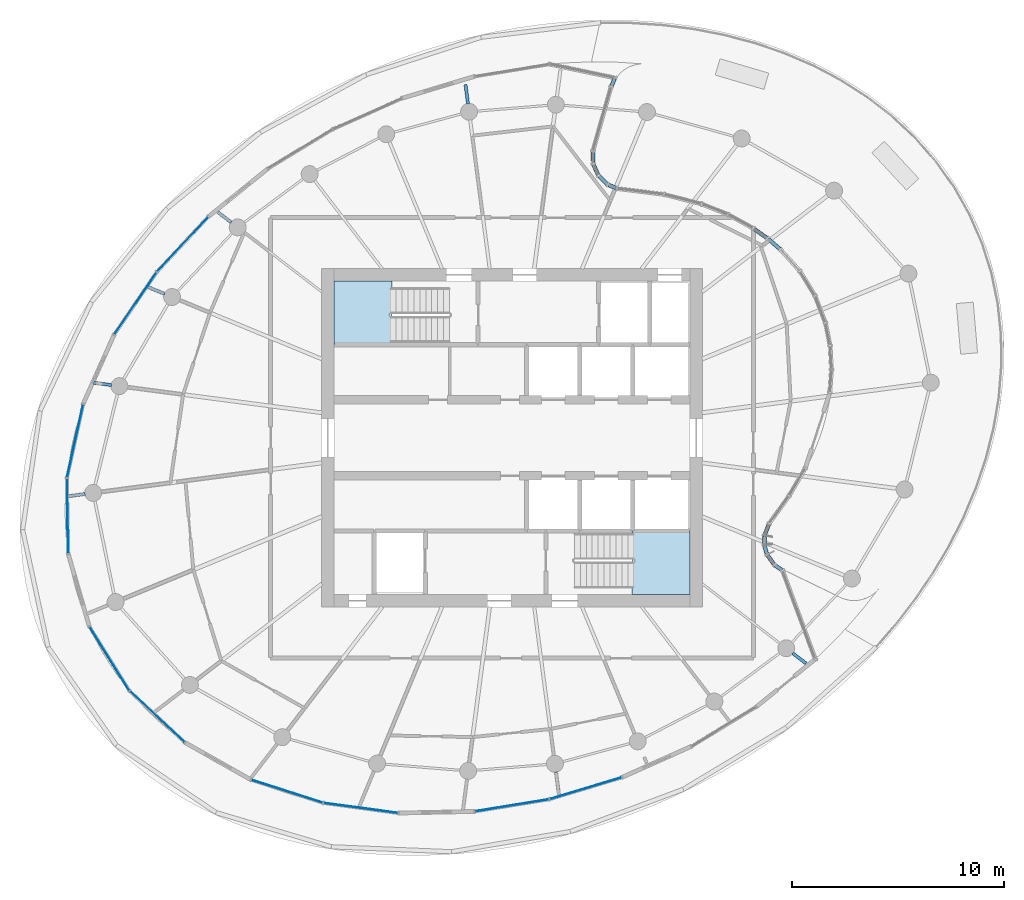
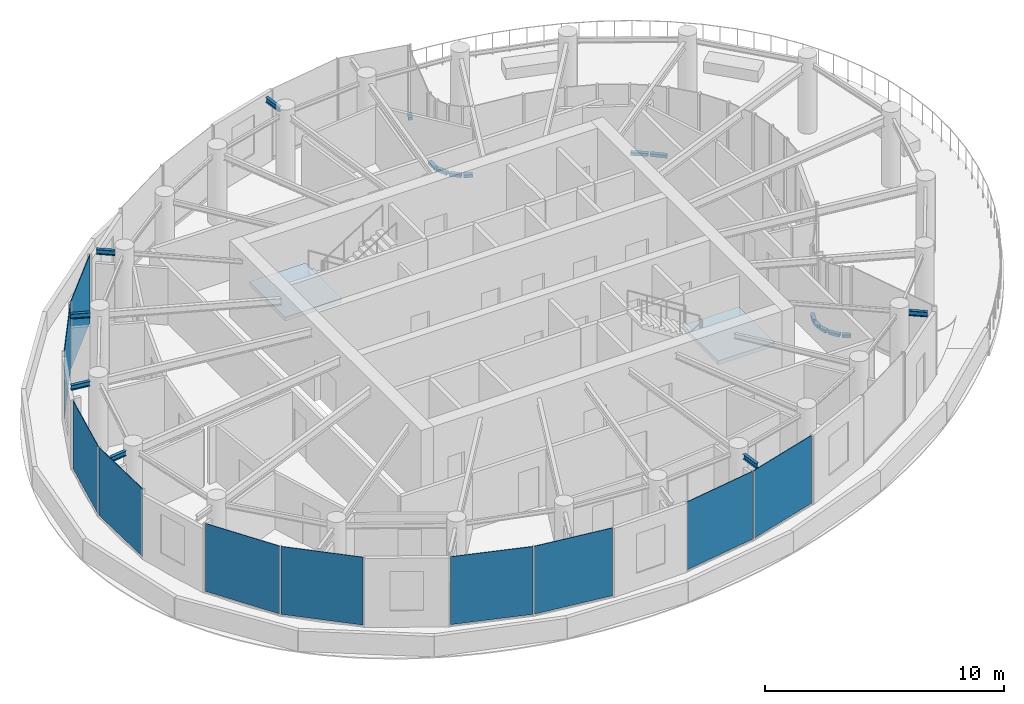
# One storey, part 7 of 19: 12 members, 10 plates, 7 beams, 2 slabs, 10 elements without a shape of their own.
"""IFC4 building model written with IfcOpenShell, lengths in metres."""

from ifc_helpers import new_model, si_unit, direction, frame, origin, origin_2d, place, context, subcontext, project, spatial, line, indexed_curve, rectangle, i_section, outline, extrude, source, transform, mapped, material, layer, layer_set, material_profile, profile_set, type_object, element, aggregate, save


model = new_model("IFC4")

# Units and contexts
model_context = context("Model", 3, precision=1e-05, world=origin(), true_north=direction((0.0, 1.0)))
body_context = subcontext(model_context, "Body", "Model", "MODEL_VIEW")
ifc_project = project(units=[si_unit("LENGTHUNIT", "METRE"), si_unit("AREAUNIT", "SQUARE_METRE"), si_unit("VOLUMEUNIT", "CUBIC_METRE"), si_unit("PLANEANGLEUNIT", "RADIAN"), si_unit("MASSUNIT", "GRAM", prefix="KILO")], contexts=[model_context])

# Site, building, storey
site_placement = place(None, origin())
site = spatial("IfcSite", under=ifc_project, at=site_placement, CompositionType="ELEMENT")
building_placement = place(site_placement, origin())
building = spatial("IfcBuilding", under=site, at=building_placement, Name="Spindrift Exchange Tower", CompositionType="ELEMENT")
storey_placement = place(building_placement, frame((0.0, 0.0, 234.5)))
storey = spatial("IfcBuildingStorey", under=building, at=storey_placement, Name="L57", CompositionType="ELEMENT", Elevation=234.5)

# Beams
ifc_material_1 = material(Name="Steel Grade 300", Category="steel")
ifc_material_profile_1 = material_profile(ifc_material_1, i_section(OverallWidth=0.14599609375, OverallDepth=0.251953125, WebThickness=0.006103515625, FlangeThickness=0.008544921875, FilletRadius=0.011962890625, at=origin_2d()), Name="250UB31.4")
ifc_profile_set_1 = profile_set([ifc_material_profile_1], Name="Steel Grade 300")
beam_type = type_object("IfcBeamType", Name="Cantilever Beam 250UB31.4 Steel Grade 300", PredefinedType="BEAM", material=ifc_profile_set_1)
shared_shape_1 = source(origin(), body_context, "Body", "SweptSolid", [
    extrude(i_section(OverallWidth=0.14599609375, OverallDepth=0.251953125, WebThickness=0.006103515625, FlangeThickness=0.008544921875, FilletRadius=0.011962890625, at=origin_2d()), origin(), (0.0, 0.0, 1.0), 0.91552734375),
])
for number, where, z_axis, x_axis, name in (
    (1, (49.923583984375, 63.772705078125, 3.4541015625), (-0.130661444959, 0.991427045627, 0.0), (-0.991427045627, -0.130661444959, 0.0), "L57 cantilever beam R07T"),
    (2, (54.076416015625, 32.227294921875, 3.4541015625), (0.130661444959, -0.991427045627, 0.0), (0.991427045627, 0.130661444959, 0.0), "L57 cantilever beam R19T"),
):
    element("IfcBeam", number, at=place(storey_placement, frame(where, z_axis=z_axis, x_axis=x_axis)), inside=storey, type_object=beam_type, Name=name, PredefinedType="BEAM", context=body_context, shape_type="MappedRepresentation", body=[
        mapped(shared_shape_1, transform((0.0, 0.0, 0.0), scale=1.0)),
    ])
shared_shape_2 = source(origin(), body_context, "Body", "SweptSolid", [
    extrude(i_section(OverallWidth=0.14599609375, OverallDepth=0.251953125, WebThickness=0.006103515625, FlangeThickness=0.008544921875, FilletRadius=0.011962890625, at=origin_2d()), origin(), (0.0, 0.0, 1.0), 0.798095703125),
])
for number, where, z_axis, x_axis, name in (
    (3, (38.74560546875, 58.170654296875, 3.4541015625), (-0.793419250411, 0.608675523639, 0.0), (-0.608675523639, -0.793419250411, 0.0), "L57 cantilever beam R10T"),
    (4, (65.25439453125, 37.829345703125, 3.4541015625), (0.793419250411, -0.608675523639, 0.0), (0.608675523639, 0.793419250411, 0.0), "L57 cantilever beam R22T"),
):
    element("IfcBeam", number, at=place(storey_placement, frame(where, z_axis=z_axis, x_axis=x_axis)), inside=storey, type_object=beam_type, Name=name, PredefinedType="BEAM", context=body_context, shape_type="MappedRepresentation", body=[
        mapped(shared_shape_2, transform((0.0, 0.0, 0.0), scale=1.0)),
    ])
shared_shape_3 = source(origin(), body_context, "Body", "SweptSolid", [
    extrude(i_section(OverallWidth=0.14599609375, OverallDepth=0.251953125, WebThickness=0.006103515625, FlangeThickness=0.008544921875, FilletRadius=0.011962890625, at=origin_2d()), origin(), (0.0, 0.0, 1.0), 0.851806640625),
])
beam_1_placement = place(storey_placement, frame((35.597412109375, 54.794189453125, 3.4541015625), z_axis=(-0.923880577549, 0.38268090941, 0.0), x_axis=(-0.38268090941, -0.923880577549, 0.0)))
element("IfcBeam", 5, at=beam_1_placement, inside=storey, type_object=beam_type, Name="L57 cantilever beam R11T", PredefinedType="BEAM", context=body_context, shape_type="MappedRepresentation", body=[
    mapped(shared_shape_3, transform((0.0, 0.0, 0.0), scale=1.0)),
])
shared_shape_4 = source(origin(), body_context, "Body", "SweptSolid", [
    extrude(i_section(OverallWidth=0.14599609375, OverallDepth=0.251953125, WebThickness=0.006103515625, FlangeThickness=0.008544921875, FilletRadius=0.011962890625, at=origin_2d()), origin(), (0.0, 0.0, 1.0), 0.863037109375),
])
beam_2_placement = place(storey_placement, frame((33.083251953125, 50.490478515625, 3.4541015625), z_axis=(-0.991461033816, 0.130403291466, 0.0), x_axis=(-0.130403291466, -0.991461033816, 0.0)))
element("IfcBeam", 6, at=beam_2_placement, inside=storey, type_object=beam_type, Name="L57 cantilever beam R12T", PredefinedType="BEAM", context=body_context, shape_type="MappedRepresentation", body=[
    mapped(shared_shape_4, transform((0.0, 0.0, 0.0), scale=1.0)),
])
shared_shape_5 = source(origin(), body_context, "Body", "SweptSolid", [
    extrude(i_section(OverallWidth=0.14599609375, OverallDepth=0.251953125, WebThickness=0.006103515625, FlangeThickness=0.008544921875, FilletRadius=0.011962890625, at=origin_2d()), origin(), (0.0, 0.0, 1.0), 0.8037109375),
])
beam_3_placement = place(storey_placement, frame((31.845947265625, 45.3466796875, 3.4541015625), z_axis=(-0.99143360589, -0.130611657639, 0.0), x_axis=(0.130611657639, -0.99143360589, 0.0)))
element("IfcBeam", 7, at=beam_3_placement, inside=storey, type_object=beam_type, Name="L57 cantilever beam R13T", PredefinedType="BEAM", context=body_context, shape_type="MappedRepresentation", body=[
    mapped(shared_shape_5, transform((0.0, 0.0, 0.0), scale=1.0)),
])

# Curtain wall, member
ifc_material_2 = material(Name="Fritted laminated glass with bronze frame", Category="glass")
ifc_layer_1 = layer(ifc_material_2, 0.199951171875)
ifc_layer_set_1 = layer_set([ifc_layer_1], Name="SKY GARDEN BRONZE GLAZED WALL")
curtain_wall_type_1 = type_object("IfcCurtainWallType", Name="SKY GARDEN BRONZE GLAZED WALL", PredefinedType="NOTDEFINED", material=ifc_layer_set_1)
curtain_wall_1_placement = place(storey_placement, origin())
curtain_wall_1 = element("IfcCurtainWall", 8, at=curtain_wall_1_placement, inside=storey, type_object=curtain_wall_type_1, Name="L57 Sky Garden Bronze Glazed Wall run 8", PredefinedType="NOTDEFINED")
ifc_material_3 = material(Name="Bronze anodised aluminium", Category="aluminium")
ifc_material_profile_2 = material_profile(ifc_material_3, rectangle(XDim=0.179931640625, YDim=0.14990234375, at=origin_2d()), Name="SKY GARDEN BRONZE GLAZED WALL TRANSOM 180X150")
ifc_profile_set_2 = profile_set([ifc_material_profile_2], Name="Bronze anodised aluminium")
member_type = type_object("IfcMemberType", Name="SKY GARDEN BRONZE GLAZED WALL TRANSOM 180X150", PredefinedType="USERDEFINED", material=ifc_profile_set_2)
shared_shape_6 = source(origin(), body_context, "Body", "SweptSolid", [
    extrude(rectangle(XDim=0.179931640625, YDim=0.14990234375, at=origin_2d()), origin(), (0.0, 0.0, 1.0), 0.37451171875),
])
member_1_placement = place(storey_placement, frame((56.9052734375, 59.79296875, 0.074951171875), z_axis=(-0.91608249743, 0.40098984763, 0.0), x_axis=(-0.40098984763, -0.91608249743, 0.0)))
member_1 = element("IfcMember", 9, at=member_1_placement, type_object=member_type, Name="L57 transom CW-G.46", ObjectType="TRANSOM", PredefinedType="USERDEFINED", context=body_context, shape_type="MappedRepresentation", body=[
    mapped(shared_shape_6, transform((0.0, 0.0, 0.0), scale=1.0)),
])

# Curtain wall, members
curtain_wall_2_placement = place(storey_placement, origin())
curtain_wall_2 = element("IfcCurtainWall", 10, at=curtain_wall_2_placement, inside=storey, type_object=curtain_wall_type_1, Name="L57 Sky Garden Bronze Glazed Wall run 5", PredefinedType="NOTDEFINED")
shared_shape_7 = source(origin(), body_context, "Body", "SweptSolid", [
    extrude(rectangle(XDim=0.179931640625, YDim=0.14990234375, at=origin_2d()), origin(), (0.0, 0.0, 1.0), 0.376953125),
])
member_2_placement = place(storey_placement, frame((64.740966796875, 41.75634765625, 0.074951171875), z_axis=(-0.823890704595, 0.566748715818, 0.0), x_axis=(-0.566748715818, -0.823890704595, 0.0)))
member_2 = element("IfcMember", 11, at=member_2_placement, type_object=member_type, Name="L57 transom CW-G.24", ObjectType="TRANSOM", PredefinedType="USERDEFINED", context=body_context, shape_type="MappedRepresentation", body=[
    mapped(shared_shape_7, transform((0.0, 0.0, 0.0), scale=1.0)),
])
shared_shape_8 = source(origin(), body_context, "Body", "SweptSolid", [
    extrude(rectangle(XDim=0.179931640625, YDim=0.14990234375, at=origin_2d()), origin(), (0.0, 0.0, 1.0), 0.520751953125),
])
member_3_placement = place(storey_placement, frame((64.37060546875, 42.028564453125, 0.074951171875), z_axis=(-0.583143330294, 0.812369285691, 0.0), x_axis=(-0.812369285691, -0.583143330294, 0.0)))
member_3 = element("IfcMember", 12, at=member_3_placement, type_object=member_type, Name="L57 transom CW-G.25", ObjectType="TRANSOM", PredefinedType="USERDEFINED", context=body_context, shape_type="MappedRepresentation", body=[
    mapped(shared_shape_8, transform((0.0, 0.0, 0.0), scale=1.0)),
])
shared_shape_9 = source(origin(), body_context, "Body", "SweptSolid", [
    extrude(rectangle(XDim=0.179931640625, YDim=0.14990234375, at=origin_2d()), origin(), (0.0, 0.0, 1.0), 0.379150390625),
])
member_4_placement = place(storey_placement, frame((64.030517578125, 42.527099609375, 0.074951171875), z_axis=(-0.271658927173, 0.962393592709, 0.0), x_axis=(-0.962393592709, -0.271658927173, 0.0)))
member_4 = element("IfcMember", 13, at=member_4_placement, type_object=member_type, Name="L57 transom CW-G.26", ObjectType="TRANSOM", PredefinedType="USERDEFINED", context=body_context, shape_type="MappedRepresentation", body=[
    mapped(shared_shape_9, transform((0.0, 0.0, 0.0), scale=1.0)),
])
shared_shape_10 = source(origin(), body_context, "Body", "SweptSolid", [
    extrude(rectangle(XDim=0.179931640625, YDim=0.14990234375, at=origin_2d()), origin(), (0.0, 0.0, 1.0), 0.374267578125),
])
member_5_placement = place(storey_placement, frame((63.9169921875, 42.9755859375, 0.074951171875), z_axis=(0.023476893458, 0.999724379754, 0.0), x_axis=(-0.999724379754, 0.023476893458, 0.0)))
member_5 = element("IfcMember", 14, at=member_5_placement, type_object=member_type, Name="L57 transom CW-G.27", ObjectType="TRANSOM", PredefinedType="USERDEFINED", context=body_context, shape_type="MappedRepresentation", body=[
    mapped(shared_shape_10, transform((0.0, 0.0, 0.0), scale=1.0)),
])
shared_shape_11 = source(origin(), body_context, "Body", "SweptSolid", [
    extrude(rectangle(XDim=0.179931640625, YDim=0.14990234375, at=origin_2d()), origin(), (0.0, 0.0, 1.0), 0.52099609375),
])
member_6_placement = place(storey_placement, frame((63.942138671875, 43.431884765625, 0.074951171875), z_axis=(0.360862621726, 0.932618983423, 0.0), x_axis=(-0.932618983423, 0.360862621726, 0.0)))
member_6 = element("IfcMember", 15, at=member_6_placement, type_object=member_type, Name="L57 transom CW-G.28", ObjectType="TRANSOM", PredefinedType="USERDEFINED", context=body_context, shape_type="MappedRepresentation", body=[
    mapped(shared_shape_11, transform((0.0, 0.0, 0.0), scale=1.0)),
])
aggregate(curtain_wall_2, [member_2, member_3, member_4, member_5, member_6])

# Curtain wall, member
curtain_wall_3_placement = place(storey_placement, origin())
curtain_wall_3 = element("IfcCurtainWall", 16, at=curtain_wall_3_placement, inside=storey, type_object=curtain_wall_type_1, Name="L57 Sky Garden Bronze Glazed Wall run 9", PredefinedType="NOTDEFINED")
member_7_placement = place(storey_placement, frame((56.492431640625, 59.9892578125, 0.074951171875), z_axis=(-0.726285045084, 0.687393652347, 0.0), x_axis=(-0.687393652347, -0.726285045084, 0.0)))
member_7 = element("IfcMember", 17, at=member_7_placement, type_object=member_type, Name="L57 transom CW-G.47", ObjectType="TRANSOM", PredefinedType="USERDEFINED", context=body_context, shape_type="MappedRepresentation", body=[
    mapped(shared_shape_11, transform((0.0, 0.0, 0.0), scale=1.0)),
])

curtain_wall_4_placement = place(storey_placement, origin())
curtain_wall_4 = element("IfcCurtainWall", 18, at=curtain_wall_4_placement, inside=storey, type_object=curtain_wall_type_1, Name="L57 Sky Garden Bronze Glazed Wall run 7", PredefinedType="NOTDEFINED")
shared_shape_12 = source(origin(), body_context, "Body", "SweptSolid", [
    extrude(rectangle(XDim=0.179931640625, YDim=0.14990234375, at=origin_2d()), origin(), (0.0, 0.0, 1.0), 0.716796875),
])
member_8_placement = place(storey_placement, frame((64.641357421875, 56.926513671875, 0.074951171875), z_axis=(-0.760913085528, 0.648853817337, 0.0), x_axis=(-0.648853817337, -0.760913085528, 0.0)))
member_8 = element("IfcMember", 19, at=member_8_placement, type_object=member_type, Name="L57 transom CW-G.40", ObjectType="TRANSOM", PredefinedType="USERDEFINED", context=body_context, shape_type="MappedRepresentation", body=[
    mapped(shared_shape_12, transform((0.0, 0.0, 0.0), scale=1.0)),
])
aggregate(curtain_wall_4, [member_8])

# Member
shared_shape_13 = source(origin(), body_context, "Body", "SweptSolid", [
    extrude(rectangle(XDim=0.179931640625, YDim=0.14990234375, at=origin_2d()), origin(), (0.0, 0.0, 1.0), 0.73876953125),
])
member_9_placement = place(storey_placement, frame((64.02880859375, 57.443603515625, 0.074951171875), z_axis=(-0.816958704227, 0.576696172684, 0.0), x_axis=(-0.576696172684, -0.816958704227, 0.0)))
member_9 = element("IfcMember", 20, at=member_9_placement, type_object=member_type, Name="L57 transom CW-G.41", ObjectType="TRANSOM", PredefinedType="USERDEFINED", context=body_context, shape_type="MappedRepresentation", body=[
    mapped(shared_shape_13, transform((0.0, 0.0, 0.0), scale=1.0)),
])

aggregate(curtain_wall_1, [member_9, member_1])

shared_shape_14 = source(origin(), body_context, "Body", "SweptSolid", [
    extrude(rectangle(XDim=0.179931640625, YDim=0.14990234375, at=origin_2d()), origin(), (0.0, 0.0, 1.0), 0.52587890625),
])
member_10_placement = place(storey_placement, frame((56.06591796875, 60.41552734375, 0.074951171875), z_axis=(-0.405319823322, 0.914174950883, 0.0), x_axis=(-0.914174950883, -0.405319823322, 0.0)))
member_10 = element("IfcMember", 21, at=member_10_placement, type_object=member_type, Name="L57 transom CW-G.48", ObjectType="TRANSOM", PredefinedType="USERDEFINED", context=body_context, shape_type="MappedRepresentation", body=[
    mapped(shared_shape_14, transform((0.0, 0.0, 0.0), scale=1.0)),
])

shared_shape_15 = source(origin(), body_context, "Body", "SweptSolid", [
    extrude(rectangle(XDim=0.179931640625, YDim=0.14990234375, at=origin_2d()), origin(), (0.0, 0.0, 1.0), 0.525634765625),
])
member_11_placement = place(storey_placement, frame((55.834716796875, 60.9775390625, 0.074951171875), z_axis=(-0.021360661594, 0.999771835039, 0.0), x_axis=(-0.999771835039, -0.021360661594, 0.0)))
member_11 = element("IfcMember", 22, at=member_11_placement, type_object=member_type, Name="L57 transom CW-G.49", ObjectType="TRANSOM", PredefinedType="USERDEFINED", context=body_context, shape_type="MappedRepresentation", body=[
    mapped(shared_shape_15, transform((0.0, 0.0, 0.0), scale=1.0)),
])

shared_shape_16 = source(origin(), body_context, "Body", "SweptSolid", [
    extrude(rectangle(XDim=0.179931640625, YDim=0.14990234375, at=origin_2d()), origin(), (0.0, 0.0, 1.0), 0.367431640625),
])
member_12_placement = place(storey_placement, frame((56.698974609375, 64.621826171875, 0.074951171875), z_axis=(0.413152255314, 0.910661964688, 0.0), x_axis=(-0.910661964688, 0.413152255314, 0.0)))
member_12 = element("IfcMember", 23, at=member_12_placement, type_object=member_type, Name="L57 transom CW-G.51", ObjectType="TRANSOM", PredefinedType="USERDEFINED", context=body_context, shape_type="MappedRepresentation", body=[
    mapped(shared_shape_16, transform((0.0, 0.0, 0.0), scale=1.0)),
])

aggregate(curtain_wall_3, [member_7, member_10, member_11, member_12])

# Stair, slab
ifc_material_4 = material(Name="Concrete 50 MPa", Category="concrete")
stair_type = type_object("IfcStairType", Name="ST-1250-R177", PredefinedType="HALF_TURN_STAIR", material=ifc_material_4)
stair_1_placement = place(storey_placement, origin())
stair_1 = element("IfcStair", 24, at=stair_1_placement, inside=storey, type_object=stair_type, Name="L57 Exit stair ST1", PredefinedType="HALF_TURN_STAIR")
ifc_layer_2 = layer(ifc_material_4, 0.199951171875)
ifc_layer_set_2 = layer_set([ifc_layer_2], Name="SL-LANDING")
slab_type = type_object("IfcSlabType", Name="SL-LANDING", PredefinedType="LANDING", material=ifc_layer_set_2)
slab_1_placement = place(storey_placement, frame((0.0, 0.0, 1.75)))
slab_1 = element("IfcSlab", 25, at=slab_1_placement, type_object=slab_type, Name="ST1 landing 1", PredefinedType="LANDING", context=body_context, shape_type="SweptSolid", body=[
    extrude(outline(indexed_curve([(46.330078125, 52.39990234375), (43.60009765625, 52.39990234375), (43.60009765625, 55.39990234375), (46.330078125, 55.39990234375)], segments=[line(1, 2, 3, 4, 1)], self_intersect=False)), origin(), (0.0, 0.0, 1.0), 0.199951171875),
])
aggregate(stair_1, [slab_1])

stair_2_placement = place(storey_placement, origin())
stair_2 = element("IfcStair", 26, at=stair_2_placement, inside=storey, type_object=stair_type, Name="L57 Exit stair ST2", PredefinedType="HALF_TURN_STAIR")
slab_2_placement = place(storey_placement, frame((0.0, 0.0, 1.75)))
slab_2 = element("IfcSlab", 27, at=slab_2_placement, type_object=slab_type, Name="ST2 landing 1", PredefinedType="LANDING", context=body_context, shape_type="SweptSolid", body=[
    extrude(outline(indexed_curve([(57.669921875, 43.60009765625), (60.39990234375, 43.60009765625), (60.39990234375, 40.60009765625), (57.669921875, 40.60009765625)], segments=[line(1, 2, 3, 4, 1)], self_intersect=False)), origin(), (0.0, 0.0, 1.0), 0.199951171875),
])
aggregate(stair_2, [slab_2])

# Curtain wall, plate
ifc_layer_3 = layer(ifc_material_2, 0.159912109375)
ifc_layer_set_3 = layer_set([ifc_layer_3], Name="ZONE 5 BRONZE FRITTED WALL")
curtain_wall_type_2 = type_object("IfcCurtainWallType", Name="ZONE 5 BRONZE FRITTED WALL", PredefinedType="NOTDEFINED", material=ifc_layer_set_3)
curtain_wall_5_placement = place(storey_placement, origin())
curtain_wall_5 = element("IfcCurtainWall", 28, at=curtain_wall_5_placement, inside=storey, type_object=curtain_wall_type_2, Name="L57 Zone 5 Bronze Fritted Wall run 1", PredefinedType="NOTDEFINED")
ifc_material_5 = material(Name="Bronze tinted laminated glass, light frit", Category="glass")
ifc_layer_4 = layer(ifc_material_5, 0.028076171875)
ifc_layer_set_4 = layer_set([ifc_layer_4], Name="ZONE 5 BRONZE FRITTED WALL PANEL LIGHT FRIT 720")
plate_type_1 = type_object("IfcPlateType", Name="ZONE 5 BRONZE FRITTED WALL PANEL LIGHT FRIT 720", PredefinedType="CURTAIN_PANEL", material=ifc_layer_set_4)
shared_shape_17 = source(origin(), body_context, "Body", "SweptSolid", [
    extrude(rectangle(XDim=3.525390625, YDim=0.028076171875, at=origin_2d()), origin(), (0.0, 0.0, 1.0), 3.4599609375),
])
plate_1_placement = place(storey_placement, frame((36.449951171875, 57.142578125, 0.1201171875), z_axis=(0.0, 0.0, 1.0), x_axis=(-0.682830165671, -0.730577145036, 0.0)))
plate_1 = element("IfcPlate", 29, at=plate_1_placement, type_object=plate_type_1, Name="L57 panel CW-5.6", PredefinedType="CURTAIN_PANEL", context=body_context, shape_type="MappedRepresentation", body=[
    mapped(shared_shape_17, transform((0.0, 0.0, 0.0), scale=1.0)),
])
aggregate(curtain_wall_5, [plate_1])

# Curtain wall, plates
curtain_wall_6_placement = place(storey_placement, origin())
curtain_wall_6 = element("IfcCurtainWall", 30, at=curtain_wall_6_placement, inside=storey, type_object=curtain_wall_type_2, Name="L57 Zone 5 Bronze Fritted Wall run 2", PredefinedType="NOTDEFINED")
ifc_layer_5 = layer(ifc_material_5, 0.028076171875)
ifc_layer_set_5 = layer_set([ifc_layer_5], Name="ZONE 5 BRONZE FRITTED WALL PANEL LIGHT FRIT 960")
plate_type_2 = type_object("IfcPlateType", Name="ZONE 5 BRONZE FRITTED WALL PANEL LIGHT FRIT 960", PredefinedType="CURTAIN_PANEL", material=ifc_layer_set_5)
shared_shape_18 = source(origin(), body_context, "Body", "SweptSolid", [
    extrude(rectangle(XDim=3.524658203125, YDim=0.028076171875, at=origin_2d()), origin(), (0.0, 0.0, 1.0), 3.4599609375),
])
plate_2_placement = place(storey_placement, frame((34.21875, 54.350341796875, 0.1201171875), z_axis=(0.0, 0.0, 1.0), x_axis=(-0.56186971697, -0.827225737723, 0.0)))
plate_2 = element("IfcPlate", 31, at=plate_2_placement, type_object=plate_type_2, Name="L57 panel CW-5.7", PredefinedType="CURTAIN_PANEL", context=body_context, shape_type="MappedRepresentation", body=[
    mapped(shared_shape_18, transform((0.0, 0.0, 0.0), scale=1.0)),
])
shared_shape_19 = source(origin(), body_context, "Body", "SweptSolid", [
    extrude(rectangle(XDim=3.521484375, YDim=0.028076171875, at=origin_2d()), origin(), (0.0, 0.0, 1.0), 3.4599609375),
])
plate_3_placement = place(storey_placement, frame((31.36279296875, 47.847900390625, 0.1201171875), z_axis=(0.0, 0.0, 1.0), x_axis=(-0.215301223165, -0.976547686139, 0.0)))
plate_3 = element("IfcPlate", 32, at=plate_3_placement, type_object=plate_type_1, Name="L57 panel CW-5.9", PredefinedType="CURTAIN_PANEL", context=body_context, shape_type="MappedRepresentation", body=[
    mapped(shared_shape_19, transform((0.0, 0.0, 0.0), scale=1.0)),
])
shared_shape_20 = source(origin(), body_context, "Body", "SweptSolid", [
    extrude(rectangle(XDim=3.519287109375, YDim=0.028076171875, at=origin_2d()), origin(), (0.0, 0.0, 1.0), 3.4599609375),
])
plate_4_placement = place(storey_placement, frame((31.010498046875, 44.309814453125, 0.1201171875), z_axis=(0.0, 0.0, 1.0), x_axis=(0.018691387756, -0.999825300752, 0.0)))
plate_4 = element("IfcPlate", 33, at=plate_4_placement, type_object=plate_type_1, Name="L57 panel CW-5.10", PredefinedType="CURTAIN_PANEL", context=body_context, shape_type="MappedRepresentation", body=[
    mapped(shared_shape_20, transform((0.0, 0.0, 0.0), scale=1.0)),
])
shared_shape_21 = source(origin(), body_context, "Body", "SweptSolid", [
    extrude(rectangle(XDim=3.517578125, YDim=0.028076171875, at=origin_2d()), origin(), (0.0, 0.0, 1.0), 3.4599609375),
])
plate_5_placement = place(storey_placement, frame((32.988037109375, 37.56689453125, 0.1201171875), z_axis=(0.0, 0.0, 1.0), x_axis=(0.529282662104, -0.848445557238, 0.0)))
plate_5 = element("IfcPlate", 34, at=plate_5_placement, type_object=plate_type_1, Name="L57 panel CW-5.12", PredefinedType="CURTAIN_PANEL", context=body_context, shape_type="MappedRepresentation", body=[
    mapped(shared_shape_21, transform((0.0, 0.0, 0.0), scale=1.0)),
])
aggregate(curtain_wall_6, [plate_2, plate_3, plate_4, plate_5])

curtain_wall_7_placement = place(storey_placement, origin())
curtain_wall_7 = element("IfcCurtainWall", 35, at=curtain_wall_7_placement, inside=storey, type_object=curtain_wall_type_2, Name="L57 Zone 5 Bronze Fritted Wall run 3", PredefinedType="NOTDEFINED")
ifc_layer_6 = layer(ifc_material_5, 0.028076171875)
ifc_layer_set_6 = layer_set([ifc_layer_6], Name="ZONE 5 BRONZE FRITTED WALL PANEL LIGHT FRIT 1200")
plate_type_3 = type_object("IfcPlateType", Name="ZONE 5 BRONZE FRITTED WALL PANEL LIGHT FRIT 1200", PredefinedType="CURTAIN_PANEL", material=ifc_layer_set_6)
shared_shape_22 = source(origin(), body_context, "Body", "SweptSolid", [
    extrude(rectangle(XDim=3.519287109375, YDim=0.028076171875, at=origin_2d()), origin(), (0.0, 0.0, 1.0), 3.4599609375),
])
plate_6_placement = place(storey_placement, frame((35.2451171875, 34.830322265625, 0.1201171875), z_axis=(0.0, 0.0, 1.0), x_axis=(0.732154276676, -0.681138836908, 0.0)))
plate_6 = element("IfcPlate", 36, at=plate_6_placement, type_object=plate_type_3, Name="L57 panel CW-5.13", PredefinedType="CURTAIN_PANEL", context=body_context, shape_type="MappedRepresentation", body=[
    mapped(shared_shape_22, transform((0.0, 0.0, 0.0), scale=1.0)),
])
shared_shape_23 = source(origin(), body_context, "Body", "SweptSolid", [
    extrude(rectangle(XDim=3.5234375, YDim=0.028076171875, at=origin_2d()), origin(), (0.0, 0.0, 1.0), 3.4599609375),
])
plate_7_placement = place(storey_placement, frame((41.381103515625, 31.305419921875, 0.1201171875), z_axis=(0.0, 0.0, 1.0), x_axis=(0.952356417145, -0.304987302559, 0.0)))
plate_7 = element("IfcPlate", 37, at=plate_7_placement, type_object=plate_type_1, Name="L57 panel CW-5.15", PredefinedType="CURTAIN_PANEL", context=body_context, shape_type="MappedRepresentation", body=[
    mapped(shared_shape_23, transform((0.0, 0.0, 0.0), scale=1.0)),
])
shared_shape_24 = source(origin(), body_context, "Body", "SweptSolid", [
    extrude(rectangle(XDim=3.524658203125, YDim=0.028076171875, at=origin_2d()), origin(), (0.0, 0.0, 1.0), 3.4599609375),
])
plate_8_placement = place(storey_placement, frame((44.86376953125, 30.519287109375, 0.1201171875), z_axis=(0.0, 0.0, 1.0), x_axis=(0.991039703021, -0.133567612223, 0.0)))
plate_8 = element("IfcPlate", 38, at=plate_8_placement, type_object=plate_type_3, Name="L57 panel CW-5.16", PredefinedType="CURTAIN_PANEL", context=body_context, shape_type="MappedRepresentation", body=[
    mapped(shared_shape_24, transform((0.0, 0.0, 0.0), scale=1.0)),
])
shared_shape_25 = source(origin(), body_context, "Body", "SweptSolid", [
    extrude(rectangle(XDim=3.52587890625, YDim=0.028076171875, at=origin_2d()), origin(), (0.0, 0.0, 1.0), 3.4599609375),
])
plate_9_placement = place(storey_placement, frame((51.994384765625, 30.6435546875, 0.1201171875), z_axis=(0.0, 0.0, 1.0), x_axis=(0.986987948746, 0.160794244392, 0.0)))
plate_9 = element("IfcPlate", 39, at=plate_9_placement, type_object=plate_type_1, Name="L57 panel CW-5.18", PredefinedType="CURTAIN_PANEL", context=body_context, shape_type="MappedRepresentation", body=[
    mapped(shared_shape_25, transform((0.0, 0.0, 0.0), scale=1.0)),
])
aggregate(curtain_wall_7, [plate_6, plate_7, plate_8, plate_9])

# Curtain wall, plate
curtain_wall_8_placement = place(storey_placement, origin())
curtain_wall_8 = element("IfcCurtainWall", 40, at=curtain_wall_8_placement, inside=storey, type_object=curtain_wall_type_2, Name="L57 Zone 5 Bronze Fritted Wall run 4", PredefinedType="NOTDEFINED")
shared_shape_26 = source(origin(), body_context, "Body", "SweptSolid", [
    extrude(rectangle(XDim=3.526123046875, YDim=0.028076171875, at=origin_2d()), origin(), (0.0, 0.0, 1.0), 3.4599609375),
])
plate_10_placement = place(storey_placement, frame((55.480712890625, 31.44970703125, 0.1201171875), z_axis=(0.0, 0.0, 1.0), x_axis=(0.957407228669, 0.288741057857, 0.0)))
plate_10 = element("IfcPlate", 41, at=plate_10_placement, type_object=plate_type_3, Name="L57 panel CW-5.19", PredefinedType="CURTAIN_PANEL", context=body_context, shape_type="MappedRepresentation", body=[
    mapped(shared_shape_26, transform((0.0, 0.0, 0.0), scale=1.0)),
])
aggregate(curtain_wall_8, [plate_10])

save(model, "model.ifc")
